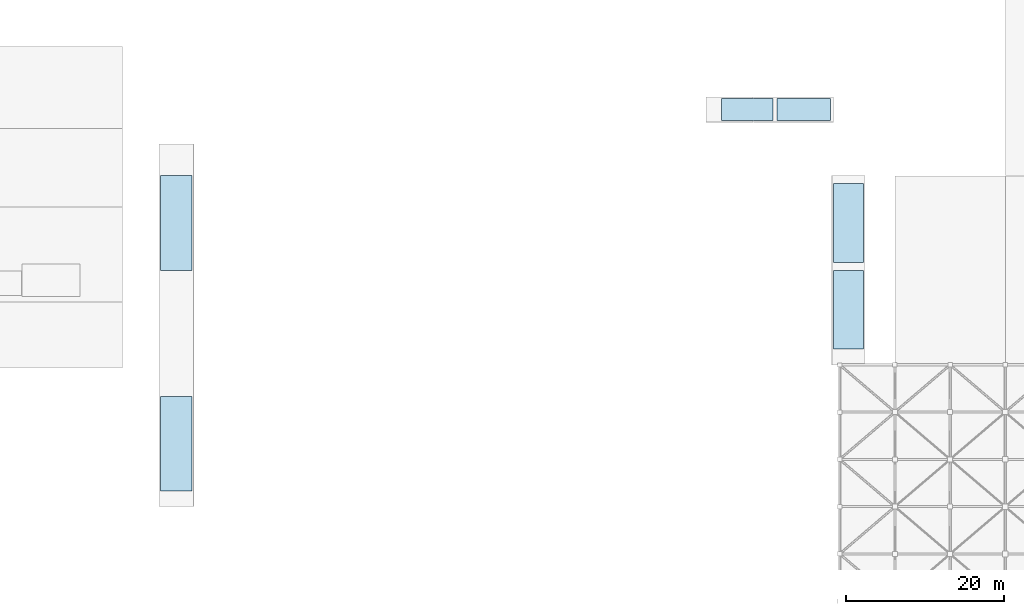
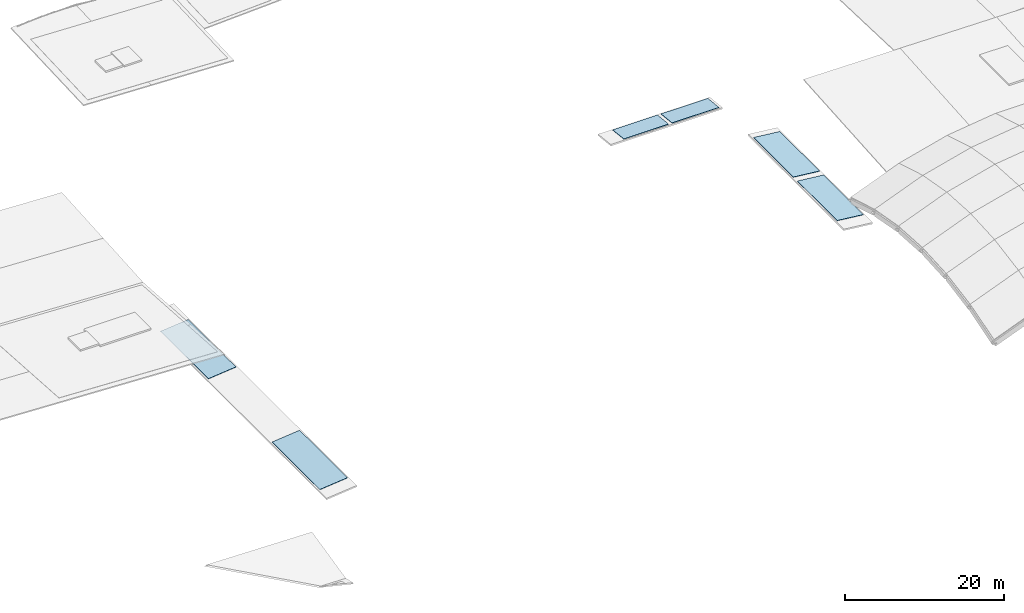
# One storey, part 7 of 11: 6 roofs.
"""IFC4 building model written with IfcOpenShell, lengths in metres."""

from ifc_helpers import new_model, si_unit, direction, frame, origin, place, context, subcontext, project, spatial, polyline, outline, extrude, material, layer, layer_set, type_object, element, save


model = new_model("IFC4")

# Units and contexts
model_context = context("Model", 3, precision=1e-05, world=origin(), true_north=direction((0.0, 1.0)))
body_context = subcontext(model_context, "Body", "Model", "MODEL_VIEW")
ifc_project = project(units=[si_unit("LENGTHUNIT", "METRE"), si_unit("AREAUNIT", "SQUARE_METRE"), si_unit("VOLUMEUNIT", "CUBIC_METRE"), si_unit("PLANEANGLEUNIT", "RADIAN"), si_unit("MASSUNIT", "GRAM", prefix="KILO")], contexts=[model_context])

# Site, building, storey
site_placement = place(None, origin())
site = spatial("IfcSite", under=ifc_project, at=site_placement, CompositionType="ELEMENT")
building_placement = place(site_placement, origin())
building = spatial("IfcBuilding", under=site, at=building_placement, Name="Tonlespit Floodbar School", CompositionType="ELEMENT")
storey_placement = place(building_placement, frame((0.0, 0.0, 24.0)))
storey = spatial("IfcBuildingStorey", under=building, at=storey_placement, Name="RF", CompositionType="ELEMENT", Elevation=24.0)

# Roofs
ifc_material = material(Name="Standing-Seam Zinc-Aluminium Roofing", Category="aluminium")
ifc_layer = layer(ifc_material, 0.06005859375)
ifc_layer_set = layer_set([ifc_layer], Name="Standing-Seam Zinc-Aluminium Roofing")
roof_type = type_object("IfcRoofType", Name="Roof_Pavilion_Canopy", PredefinedType="PAVILION_ROOF", material=ifc_layer_set)
for number, where, z_axis, x_axis, name in (
    (1, (40.800048828125, 40.0, -19.1875), (-0.10170377615, 0.0, 0.994814727433), (0.994814727433, 0.0, 0.10170377615), "Monsoon colonnade pavilion roof 01"),
    (2, (40.800048828125, 68.0, -19.1875), (-0.10170377615, 0.0, 0.994814727433), (0.994814727433, 0.0, 0.10170377615), "Monsoon colonnade pavilion roof 02"),
):
    element("IfcRoof", number, at=place(storey_placement, frame(where, z_axis=z_axis, x_axis=x_axis)), inside=storey, type_object=roof_type, Name=name, PredefinedType="PAVILION_ROOF", context=body_context, shape_type="SweptSolid", body=[
        extrude(outline(polyline([(0.0, 0.0), (4.020849199049619, 0.0), (4.020849199049619, 12.000000000000004), (0.0, 12.000000000000004), (0.0, 0.0)])), origin(), (0.0, 0.0, -1.0), 0.06005859375),
    ])
roof_1_placement = place(storey_placement, frame((112.0, 87.0, -18.8798828125), z_axis=(0.0, 0.10869045746, 0.994075643227), x_axis=(1.0, 0.0, 0.0)))
element("IfcRoof", 3, at=roof_1_placement, inside=storey, type_object=roof_type, Name="Monsoon colonnade pavilion roof 03", PredefinedType="PAVILION_ROOF", context=body_context, shape_type="SweptSolid", body=[
    extrude(outline(polyline([(0.0, 0.0), (6.5, 0.0), (6.5, 2.8167361781799523), (0.0, 2.8167361781799523), (0.0, 0.0)])), origin(), (0.0, 0.0, -1.0), 0.06005859375),
])
roof_2_placement = place(storey_placement, frame((119.0, 87.0, -18.8798828125), z_axis=(0.0, 0.10869045746, 0.994075643227), x_axis=(1.0, 0.0, 0.0)))
element("IfcRoof", 4, at=roof_2_placement, inside=storey, type_object=roof_type, Name="Monsoon colonnade pavilion roof 04", PredefinedType="PAVILION_ROOF", context=body_context, shape_type="SweptSolid", body=[
    extrude(outline(polyline([(0.0, 0.0), (6.800048828125, 0.0), (6.800048828125, 2.8167361781799527), (0.0, 2.8167361781799527), (0.0, 0.0)])), origin(), (0.0, 0.0, -1.0), 0.06005859375),
])
for number, where, z_axis, x_axis, name in (
    (5, (126.199951171875, 58.0, -18.779541015625), (0.106490267424, 0.0, 0.994313744722), (0.994313744722, 0.0, -0.106490267424), "Monsoon colonnade pavilion roof 05"),
    (6, (126.199951171875, 69.0, -18.779541015625), (0.106490267424, 0.0, 0.994313744722), (0.994313744722, 0.0, -0.106490267424), "Monsoon colonnade pavilion roof 06"),
):
    element("IfcRoof", number, at=place(storey_placement, frame(where, z_axis=z_axis, x_axis=x_axis)), inside=storey, type_object=roof_type, Name=name, PredefinedType="PAVILION_ROOF", context=body_context, shape_type="SweptSolid", body=[
        extrude(outline(polyline([(0.0, 0.0), (3.821780447363431, 0.0), (3.821780447363431, 10.0), (0.0, 10.0), (0.0, 0.0)])), origin(), (0.0, 0.0, -1.0), 0.06005859375),
    ])

save(model, "model.ifc")
